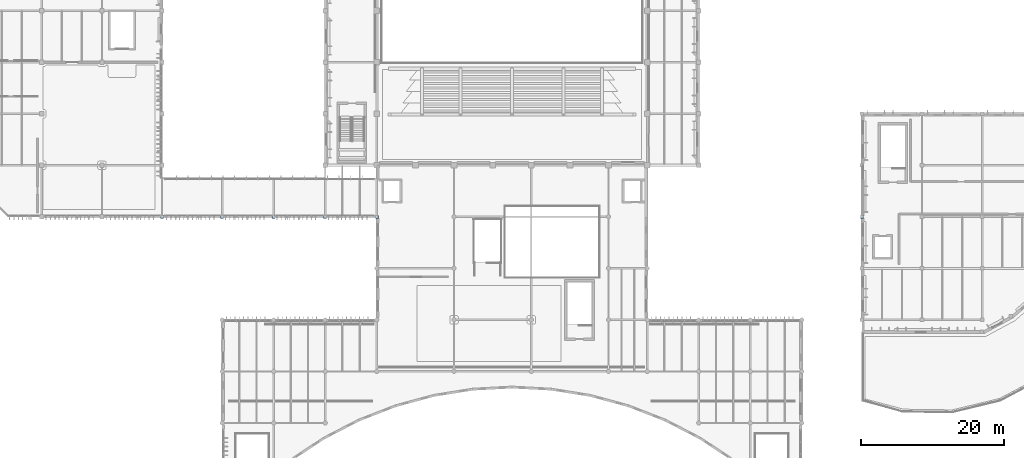
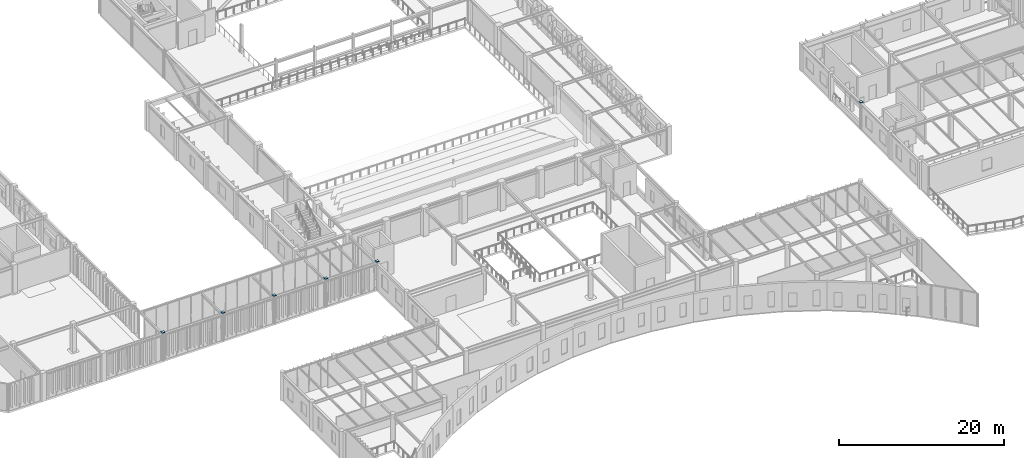
# One storey, part 34 of 104: 6 plates.
"""IFC4 building model written with IfcOpenShell, lengths in metres."""

from ifc_helpers import new_model, si_unit, direction, frame, origin, origin_2d, place, context, subcontext, project, spatial, rectangle, extrude, material, layer, layer_set, type_object, element, save


model = new_model("IFC4")

# Units and contexts
model_context = context("Model", 3, precision=1e-05, world=origin(), true_north=direction((0.0, 1.0)))
body_context = subcontext(model_context, "Body", "Model", "MODEL_VIEW")
ifc_project = project(units=[si_unit("LENGTHUNIT", "METRE"), si_unit("AREAUNIT", "SQUARE_METRE"), si_unit("VOLUMEUNIT", "CUBIC_METRE"), si_unit("PLANEANGLEUNIT", "RADIAN"), si_unit("MASSUNIT", "GRAM", prefix="KILO")], contexts=[model_context])

# Site, building, storey
site_placement = place(None, origin())
site = spatial("IfcSite", under=ifc_project, at=site_placement, CompositionType="ELEMENT")
building_placement = place(site_placement, origin())
building = spatial("IfcBuilding", under=site, at=building_placement, Name="Tazoul Stagehouse", CompositionType="ELEMENT")
storey_placement = place(building_placement, frame((0.0, 0.0, 9.0)))
storey = spatial("IfcBuildingStorey", under=building, at=storey_placement, Name="L02", CompositionType="ELEMENT", Elevation=9.0)

# Plates
ifc_material = material(Name="Steel S355", Category="steel")
ifc_layer = layer(ifc_material, 0.02392578125, Name="Steel S355")
ifc_layer_set = layer_set([ifc_layer], Name="Steel S355")
plate_type = type_object("IfcPlateType", Name="Steel Gusset Node Plate 420x420x24 (Exterior)", PredefinedType="USERDEFINED", material=ifc_layer_set)
for number, where, z_axis, x_axis, name in (
    (1, (125.39990234375, 44.60009765625, 4.05810546875), (0.0, 0.0, 1.0), (1.0, 0.0, 0.0), "L02 Arcade Column Top Cap Plate GP-02E (19/G)"),
    (2, (27.60009765625, 44.60009765625, 4.197998046875), (0.0, 0.0, 1.0), (1.0, 0.0, 0.0), "L02 Arcade Column Top Cap Plate GP-02E (4/G)"),
    (3, (36.0, 44.60009765625, 4.197998046875), (0.0, 0.0, 1.0), (1.0, 0.0, 0.0), "L02 Arcade Column Top Cap Plate GP-02E (5/G)"),
    (4, (43.199951171875, 44.60009765625, 4.197998046875), (0.0, 0.0, 1.0), (1.0, 0.0, 0.0), "L02 Arcade Column Top Cap Plate GP-02E (6/G)"),
    (5, (50.39990234375, 44.60009765625, 4.197998046875), (0.0, 0.0, 1.0), (1.0, 0.0, 0.0), "L02 Arcade Column Top Cap Plate GP-02E (7/G)"),
    (6, (57.60009765625, 44.60009765625, 4.197998046875), (0.0, 0.0, 1.0), (1.0, 0.0, 0.0), "L02 Arcade Column Top Cap Plate GP-02E (8/G)"),
):
    element("IfcPlate", number, at=place(storey_placement, frame(where, z_axis=z_axis, x_axis=x_axis)), inside=storey, type_object=plate_type, Name=name, ObjectType="GUSSET PLATE", PredefinedType="USERDEFINED", context=body_context, shape_type="SweptSolid", body=[
        extrude(rectangle(XDim=0.419921875, YDim=0.419921875, at=origin_2d()), origin(), (0.0, 0.0, 1.0), 0.02392578125),
    ])

save(model, "model.ifc")
